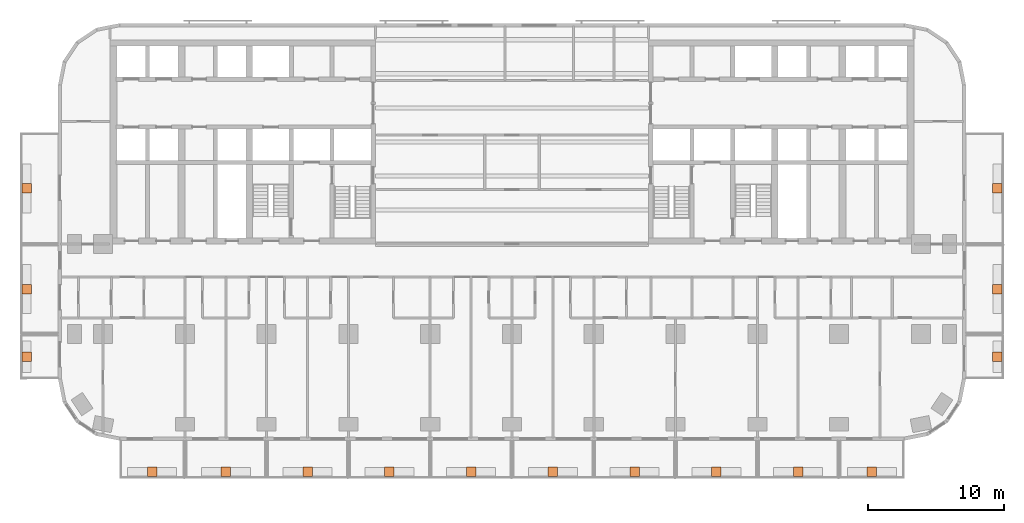
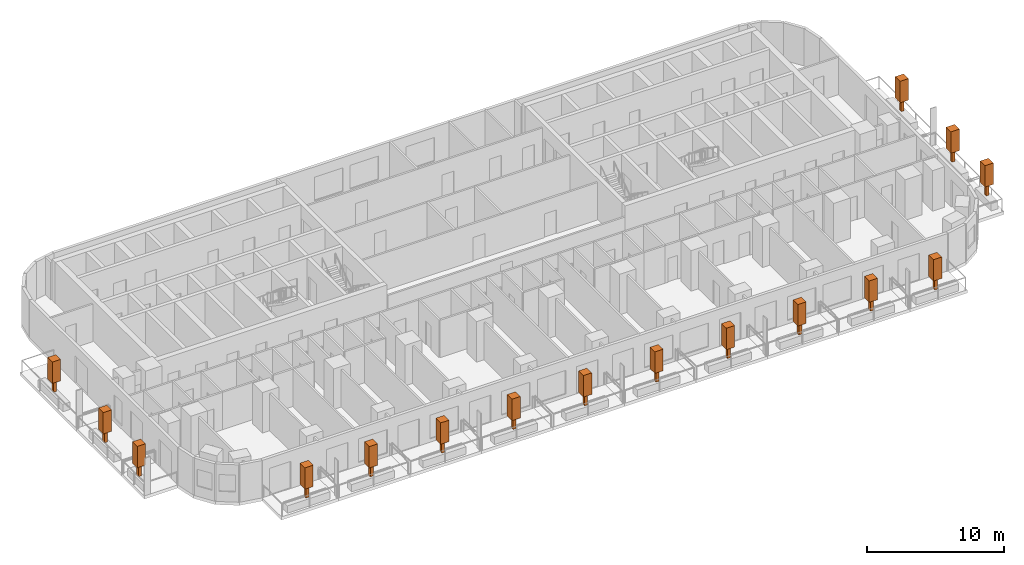
# One storey, part 15 of 15: 16 geographic elements.
"""IFC4 building model written with IfcOpenShell, lengths in metres."""

from ifc_helpers import new_model, si_unit, direction, frame, origin, origin_2d, place, context, subcontext, project, spatial, rectangle, extrude, material, element, save


model = new_model("IFC4")

# Units and contexts
model_context = context("Model", 3, precision=1e-05, world=origin(), true_north=direction((0.0, 1.0)))
body_context = subcontext(model_context, "Body", "Model", "MODEL_VIEW")
ifc_project = project(units=[si_unit("LENGTHUNIT", "METRE"), si_unit("AREAUNIT", "SQUARE_METRE"), si_unit("VOLUMEUNIT", "CUBIC_METRE"), si_unit("PLANEANGLEUNIT", "RADIAN"), si_unit("MASSUNIT", "GRAM", prefix="KILO")], contexts=[model_context])

# Site, building, storey
site_placement = place(None, origin())
site = spatial("IfcSite", under=ifc_project, at=site_placement, CompositionType="ELEMENT")
building_placement = place(site_placement, origin())
building = spatial("IfcBuilding", under=site, at=building_placement, Name="Torana Hotel and Residences", CompositionType="ELEMENT")
storey_placement = place(building_placement, frame((0.0, 0.0, 52.800048828125)))
storey = spatial("IfcBuildingStorey", under=building, at=storey_placement, Name="L12", CompositionType="ELEMENT", Elevation=52.800048828125)

# Geographic elements
ifc_material = material(Name="Foliage", Category="planting")
for number, where, z_axis, x_axis, name in (
    (1, (-26.39990234375, -31.699951171875, 0.64990234375), (0.0, 0.0, 1.0), (1.0, 0.0, 0.0), "Tree 01"),
    (2, (-21.0, -31.699951171875, 0.64990234375), (0.0, 0.0, 1.0), (1.0, 0.0, 0.0), "Tree 02"),
    (3, (-15.0, -31.699951171875, 0.64990234375), (0.0, 0.0, 1.0), (1.0, 0.0, 0.0), "Tree 03"),
    (4, (-9.0, -31.699951171875, 0.64990234375), (0.0, 0.0, 1.0), (1.0, 0.0, 0.0), "Tree 04"),
    (5, (-3.0, -31.699951171875, 0.64990234375), (0.0, 0.0, 1.0), (1.0, 0.0, 0.0), "Tree 05"),
    (6, (3.0, -31.699951171875, 0.64990234375), (0.0, 0.0, 1.0), (1.0, 0.0, 0.0), "Tree 06"),
    (7, (9.0, -31.699951171875, 0.64990234375), (0.0, 0.0, 1.0), (1.0, 0.0, 0.0), "Tree 07"),
    (8, (15.0, -31.699951171875, 0.64990234375), (0.0, 0.0, 1.0), (1.0, 0.0, 0.0), "Tree 08"),
    (9, (21.0, -31.699951171875, 0.64990234375), (0.0, 0.0, 1.0), (1.0, 0.0, 0.0), "Tree 09"),
    (10, (26.39990234375, -31.699951171875, 0.64990234375), (0.0, 0.0, 1.0), (1.0, 0.0, 0.0), "Tree 10"),
    (11, (-35.60009765625, -23.25, 0.64990234375), (0.0, 0.0, 1.0), (1.0, 0.0, 0.0), "Tree 11"),
    (12, (-35.60009765625, -18.300048828125, 0.64990234375), (0.0, 0.0, 1.0), (1.0, 0.0, 0.0), "Tree 12"),
    (13, (-35.60009765625, -10.89990234375, 0.64990234375), (0.0, 0.0, 1.0), (1.0, 0.0, 0.0), "Tree 13"),
    (14, (35.60009765625, -23.25, 0.64990234375), (0.0, 0.0, 1.0), (1.0, 0.0, 0.0), "Tree 14"),
    (15, (35.60009765625, -18.300048828125, 0.64990234375), (0.0, 0.0, 1.0), (1.0, 0.0, 0.0), "Tree 15"),
    (16, (35.60009765625, -10.89990234375, 0.64990234375), (0.0, 0.0, 1.0), (1.0, 0.0, 0.0), "Tree 16"),
):
    element("IfcGeographicElement", number, at=place(storey_placement, frame(where, z_axis=z_axis, x_axis=x_axis)), inside=storey, material=ifc_material, Name=name, ObjectType="TREE", PredefinedType="USERDEFINED", context=body_context, shape_type="SweptSolid", body=[
        extrude(rectangle(XDim=0.25, YDim=0.25, at=origin_2d()), origin(), (0.0, 0.0, 1.0), 1.0),
        extrude(rectangle(XDim=0.699951171875, YDim=0.699951171875, at=origin_2d()), frame((0.0, 0.0, 1.0)), (0.0, 0.0, 1.0), 1.89990234375),
    ])

save(model, "model.ifc")
